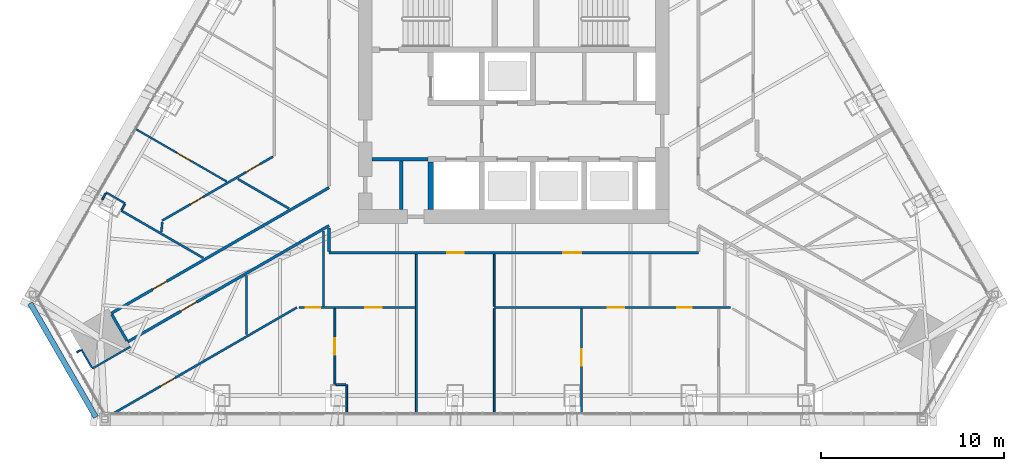
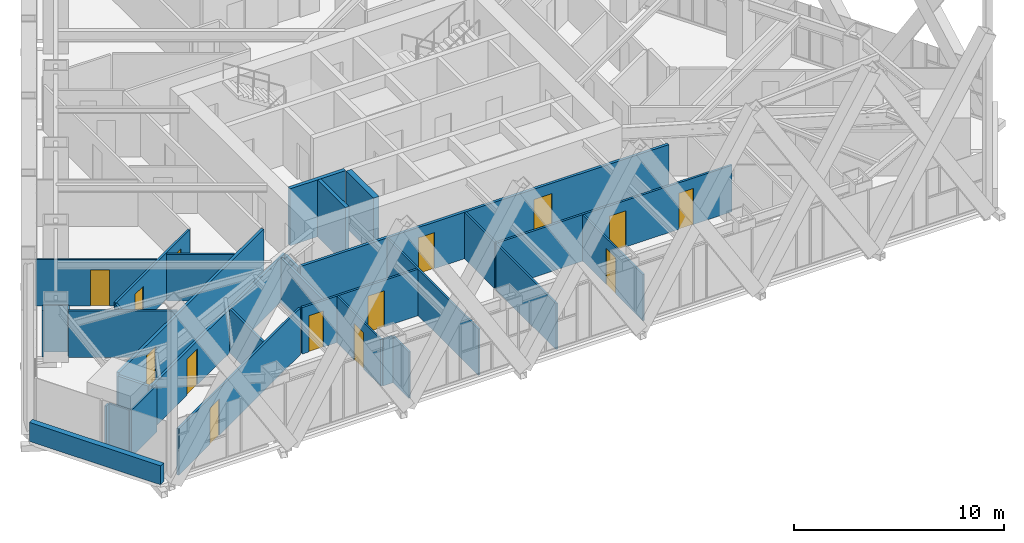
# One storey, part 16 of 21: 32 walls, 14 doors, 14 openings.
"""IFC4 building model written with IfcOpenShell, lengths in metres."""

from ifc_helpers import new_model, si_unit, direction, frame, frame_2d, origin, place, context, subcontext, project, spatial, rectangle, extrude, material, layer, layer_set, type_object, element, fill, save


model = new_model("IFC4")

# Units and contexts
model_context = context("Model", 3, precision=1e-05, world=origin(), true_north=direction((0.0, 1.0)))
body_context = subcontext(model_context, "Body", "Model", "MODEL_VIEW")
ifc_project = project(units=[si_unit("LENGTHUNIT", "METRE"), si_unit("AREAUNIT", "SQUARE_METRE"), si_unit("VOLUMEUNIT", "CUBIC_METRE"), si_unit("PLANEANGLEUNIT", "RADIAN"), si_unit("MASSUNIT", "GRAM", prefix="KILO")], contexts=[model_context])

# Site, building, storey
site_placement = place(None, origin())
site = spatial("IfcSite", under=ifc_project, at=site_placement, CompositionType="ELEMENT")
building_placement = place(site_placement, origin())
building = spatial("IfcBuilding", under=site, at=building_placement, Name="Firuza Gate Tower and Library", CompositionType="ELEMENT")
storey_placement = place(building_placement, frame((0.0, 0.0, 281.10009765625)))
storey = spatial("IfcBuildingStorey", under=building, at=storey_placement, Name="L67", CompositionType="ELEMENT", Elevation=281.10009765625)

# Walls
ifc_material_1 = material(Name="Plasterboard on steel studs", Category="steel")
ifc_layer_1 = layer(ifc_material_1, 0.199951171875)
ifc_layer_set_1 = layer_set([ifc_layer_1], Name="Core partition 200 EI 120")
wall_type_1 = type_object("IfcWallType", Name="Core partition 200 EI 120", PredefinedType="PARTITIONING", material=ifc_layer_set_1)
wall_1_placement = place(storey_placement, frame((67.25, 71.75, 0.0), z_axis=(0.0, 0.0, 1.0), x_axis=(1.0, 0.0, 0.0)))
element("IfcWall", 1, at=wall_1_placement, inside=storey, type_object=wall_type_1, Name="Core partition L67 1", PredefinedType="PARTITIONING", context=body_context, shape_type="SweptSolid", body=[
    extrude(rectangle(XDim=3.050048828125, YDim=0.199951171875, at=frame_2d((1.52490234375, 0.0))), origin(), (0.0, 0.0, 1.0), 3.2998046875),
])
wall_2_placement = place(storey_placement, frame((68.85009765625, 69.0, 0.0), z_axis=(0.0, 0.0, 1.0), x_axis=(0.0, 1.0, 0.0)))
element("IfcWall", 2, at=wall_2_placement, inside=storey, type_object=wall_type_1, Name="Core partition L67 4", PredefinedType="PARTITIONING", context=body_context, shape_type="SweptSolid", body=[
    extrude(rectangle(XDim=2.64990234375, YDim=0.199951171875, at=frame_2d((1.324951171875, 0.0))), origin(), (0.0, 0.0, 1.0), 3.2998046875),
])
ifc_material_2 = material(Name="Concrete C60/75", Category="concrete")
ifc_layer_2 = layer(ifc_material_2, 0.300048828125)
ifc_layer_set_2 = layer_set([ifc_layer_2], Name="Core wall 300 C60/75")
wall_type_2 = type_object("IfcWallType", Name="Core wall 300 C60/75", PredefinedType="SHEAR", material=ifc_layer_set_2)
wall_3_placement = place(storey_placement, frame((70.449951171875, 69.0, 0.0), z_axis=(0.0, 0.0, 1.0), x_axis=(0.0, 1.0, 0.0)))
element("IfcWall", 3, at=wall_3_placement, inside=storey, type_object=wall_type_2, Name="Core wall L67 7", PredefinedType="SHEAR", context=body_context, shape_type="SweptSolid", body=[
    extrude(rectangle(XDim=2.60009765625, YDim=0.300048828125, at=frame_2d((1.300048828125, 0.0))), origin(), (0.0, 0.0, 1.0), 3.2998046875),
])

# Wall, openings, doors
ifc_material_3 = material(Name="Gypsum board partition")
ifc_layer_3 = layer(ifc_material_3, 0.14990234375)
ifc_layer_set_3 = layer_set([ifc_layer_3], Name="Corridor wall 150 double board on steel studs")
wall_type_3 = type_object("IfcWallType", Name="Corridor wall 150 double board on steel studs", PredefinedType="PARTITIONING", material=ifc_layer_set_3)
wall_4_placement = place(storey_placement, frame((85.10009765625, 66.64990234375, 0.0), z_axis=(0.0, 0.0, 1.0), x_axis=(-1.0, 0.0, 0.0)))
wall_4 = element("IfcWall", 4, at=wall_4_placement, inside=storey, type_object=wall_type_3, Name="f:L67:w004", PredefinedType="PARTITIONING", context=body_context, shape_type="SweptSolid", body=[
    extrude(rectangle(XDim=20.2001953125, YDim=0.14990234375, at=frame_2d((10.10009765625, 0.0))), origin(), (0.0, 0.0, 1.0), 2.699951171875),
])
opening_1_placement = place(wall_4_placement, frame((6.4052734375, 0.0, 0.0)))
opening_1 = element("IfcOpeningElement", 5, at=opening_1_placement, cuts=wall_4, Name="Opening L67-05", PredefinedType="OPENING", context=body_context, shape_type="SweptSolid", body=[
    extrude(rectangle(XDim=1.0, YDim=2.10009765625, at=frame_2d((0.5, 1.050048828125))), frame((0.0, 0.0849609375, 0.0), z_axis=(0.0, -1.0, 0.0), x_axis=(1.0, 0.0, 0.0)), (0.0, 0.0, 1.0), 0.169921875),
])
opening_2_placement = place(wall_4_placement, frame((12.8447265625, 0.0, 0.0)))
opening_2 = element("IfcOpeningElement", 6, at=opening_2_placement, cuts=wall_4, Name="Opening L67-06", PredefinedType="OPENING", context=body_context, shape_type="SweptSolid", body=[
    extrude(rectangle(XDim=0.89990234375, YDim=2.10009765625, at=frame_2d((0.449951171875, 1.050048828125))), frame((0.0, 0.0849609375, 0.0), z_axis=(0.0, -1.0, 0.0), x_axis=(1.0, 0.0, 0.0)), (0.0, 0.0, 1.0), 0.169921875),
])
ifc_material_4 = material(Name="Steel door and timber leaf", Category="steel")
door_type_1 = type_object("IfcDoorType", Name="Fire door 1000 x 2100 steel frame, timber leaf", OperationType="NOTDEFINED", PredefinedType="DOOR", material=ifc_material_4)
door_1_placement = place(opening_1_placement, origin())
door_1 = element("IfcDoor", 7, at=door_1_placement, inside=storey, type_object=door_type_1, Name="f:L67:d005", OperationType="SINGLE_SWING_RIGHT", OverallHeight=2.10009765625, OverallWidth=1.0, PredefinedType="DOOR", context=body_context, shape_type="SweptSolid", body=[
    extrude(rectangle(XDim=1.0, YDim=2.10009765625, at=frame_2d((0.5, 1.050048828125))), frame((0.0, 0.02490234375, 0.0), z_axis=(0.0, -1.0, 0.0), x_axis=(1.0, 0.0, 0.0)), (0.0, 0.0, 1.0), 0.050048828125),
])
fill(opening_1, door_1)
ifc_material_5 = material(Name="Steel door and timber leaf", Category="steel")
door_type_2 = type_object("IfcDoorType", Name="Fire door 900 x 2100 steel frame, timber leaf", OperationType="NOTDEFINED", PredefinedType="DOOR", material=ifc_material_5)
door_2_placement = place(opening_2_placement, origin())
door_2 = element("IfcDoor", 8, at=door_2_placement, inside=storey, type_object=door_type_2, Name="f:L67:d006", OperationType="SINGLE_SWING_LEFT", OverallHeight=2.10009765625, OverallWidth=0.89990234375, PredefinedType="DOOR", context=body_context, shape_type="SweptSolid", body=[
    extrude(rectangle(XDim=0.89990234375, YDim=2.10009765625, at=frame_2d((0.449951171875, 1.050048828125))), frame((0.0, 0.02490234375, 0.0), z_axis=(0.0, -1.0, 0.0), x_axis=(1.0, 0.0, 0.0)), (0.0, 0.0, 1.0), 0.050048828125),
])
fill(opening_2, door_2)

# Wall, opening, door
wall_5_placement = place(storey_placement, frame((64.89990234375, 68.129638671875, 0.0), z_axis=(0.0, 0.0, 1.0), x_axis=(-0.866023199005, -0.500003818771, 0.0)))
wall_5 = element("IfcWall", 9, at=wall_5_placement, inside=storey, type_object=wall_type_3, Name="f:L67:w024", PredefinedType="PARTITIONING", context=body_context, shape_type="SweptSolid", body=[
    extrude(rectangle(XDim=12.71875, YDim=0.14990234375, at=frame_2d((6.359375, 0.0))), origin(), (0.0, 0.0, 1.0), 2.546875),
])
opening_3_placement = place(wall_5_placement, frame((8.36376953125, 0.0, 0.0)))
opening_3 = element("IfcOpeningElement", 10, at=opening_3_placement, cuts=wall_5, Name="Opening L67-12", PredefinedType="OPENING", context=body_context, shape_type="SweptSolid", body=[
    extrude(rectangle(XDim=1.0, YDim=2.10009765625, at=frame_2d((0.5, 1.050048828125))), frame((0.0, 0.0849609375, 0.0), z_axis=(0.0, -1.0, 0.0), x_axis=(1.0, 0.0, 0.0)), (0.0, 0.0, 1.0), 0.169921875),
])
door_3_placement = place(opening_3_placement, origin())
door_3 = element("IfcDoor", 11, at=door_3_placement, inside=storey, type_object=door_type_1, Name="f:L67:d012", OperationType="SINGLE_SWING_LEFT", OverallHeight=2.10009765625, OverallWidth=1.0, PredefinedType="DOOR", context=body_context, shape_type="SweptSolid", body=[
    extrude(rectangle(XDim=1.0, YDim=2.10009765625, at=frame_2d((0.5, 1.050048828125))), frame((0.0, 0.02490234375, 0.0), z_axis=(0.0, -1.0, 0.0), x_axis=(1.0, 0.0, 0.0)), (0.0, 0.0, 1.0), 0.050048828125),
])
fill(opening_3, door_3)

wall_6_placement = place(storey_placement, frame((52.98583984375, 63.3291015625, 0.0), z_axis=(0.0, 0.0, 1.0), x_axis=(0.866027482275, 0.499996399932, 0.0)))
wall_6 = element("IfcWall", 12, at=wall_6_placement, inside=storey, type_object=wall_type_3, Name="f:L67:w026", PredefinedType="PARTITIONING", context=body_context, shape_type="SweptSolid", body=[
    extrude(rectangle(XDim=13.75732421875, YDim=0.14990234375, at=frame_2d((6.878662109375, 0.0))), origin(), (0.0, 0.0, 1.0), 2.699951171875),
])
opening_4_placement = place(wall_6_placement, frame((2.61962890625, 0.0, 0.0)))
opening_4 = element("IfcOpeningElement", 13, at=opening_4_placement, cuts=wall_6, Name="Opening L67-13", PredefinedType="OPENING", context=body_context, shape_type="SweptSolid", body=[
    extrude(rectangle(XDim=0.89990234375, YDim=2.10009765625, at=frame_2d((0.449951171875, 1.050048828125))), frame((0.0, 0.0849609375, 0.0), z_axis=(0.0, -1.0, 0.0), x_axis=(1.0, 0.0, 0.0)), (0.0, 0.0, 1.0), 0.169921875),
])
door_4_placement = place(opening_4_placement, origin())
door_4 = element("IfcDoor", 14, at=door_4_placement, inside=storey, type_object=door_type_2, Name="f:L67:d013", OperationType="SINGLE_SWING_LEFT", OverallHeight=2.10009765625, OverallWidth=0.89990234375, PredefinedType="DOOR", context=body_context, shape_type="SweptSolid", body=[
    extrude(rectangle(XDim=0.89990234375, YDim=2.10009765625, at=frame_2d((0.449951171875, 1.050048828125))), frame((0.0, 0.02490234375, 0.0), z_axis=(0.0, -1.0, 0.0), x_axis=(1.0, 0.0, 0.0)), (0.0, 0.0, 1.0), 0.050048828125),
])
fill(opening_4, door_4)

# Walls
wall_7_placement = place(storey_placement, frame((64.89990234375, 66.72509765625, 0.0), z_axis=(0.0, 0.0, 1.0), x_axis=(0.0, 1.0, 0.0)))
element("IfcWall", 15, at=wall_7_placement, inside=storey, type_object=wall_type_3, Name="f:L67:w057", PredefinedType="PARTITIONING", context=body_context, shape_type="SweptSolid", body=[
    extrude(rectangle(XDim=1.267822265625, YDim=0.14990234375, at=frame_2d((0.6337890625, 0.0))), origin(), (0.0, 0.0, 1.0), 2.546875),
])
wall_8_placement = place(storey_placement, frame((53.844970703125, 61.83984375, 0.0), z_axis=(0.0, 0.0, 1.0), x_axis=(-0.499988108725, 0.866032269107, 0.0)))
element("IfcWall", 16, at=wall_8_placement, inside=storey, type_object=wall_type_3, Name="f:L67:w062", PredefinedType="PARTITIONING", context=body_context, shape_type="SweptSolid", body=[
    extrude(rectangle(XDim=1.64404296875, YDim=0.14990234375, at=frame_2d((0.822021484375, 0.0))), origin(), (0.0, 0.0, 1.0), 2.546875),
])
ifc_material_6 = material(Name="Gypsum board partition")
ifc_layer_4 = layer(ifc_material_6, 0.10009765625)
ifc_layer_set_4 = layer_set([ifc_layer_4], Name="Partition 100 gypsum board on steel studs")
wall_type_4 = type_object("IfcWallType", Name="Partition 100 gypsum board on steel studs", PredefinedType="PARTITIONING", material=ifc_layer_set_4)
wall_9_placement = place(storey_placement, frame((65.268310546875, 59.431884765625, 0.0), z_axis=(0.0, 0.0, 1.0), x_axis=(1.0, 0.0, 0.0)))
element("IfcWall", 17, at=wall_9_placement, inside=storey, type_object=wall_type_4, Name="f:L67:w000", PredefinedType="PARTITIONING", context=body_context, shape_type="SweptSolid", body=[
    extrude(rectangle(XDim=0.547607421875, YDim=0.10009765625, at=frame_2d((0.27392578125, 0.0))), origin(), (0.0, 0.0, 1.0), 2.699951171875),
])
wall_10_placement = place(storey_placement, frame((51.957275390625, 60.310791015625, 0.0), z_axis=(0.0, 0.0, 1.0), x_axis=(0.866036455013, 0.499980858223, 0.0)))
element("IfcWall", 18, at=wall_10_placement, inside=storey, type_object=wall_type_4, Name="f:L67:w022", PredefinedType="PARTITIONING", context=body_context, shape_type="SweptSolid", body=[
    extrude(rectangle(XDim=2.39892578125, YDim=0.10009765625, at=frame_2d((1.199462890625, 0.0))), origin(), (0.0, 0.0, 1.0), 2.699951171875),
])
wall_11_placement = place(storey_placement, frame((51.09716796875, 61.19970703125, 0.0), z_axis=(0.0, 0.0, 1.0), x_axis=(0.866006330792, 0.500033033937, 0.0)))
element("IfcWall", 19, at=wall_11_placement, inside=storey, type_object=wall_type_4, Name="f:L67:w025", PredefinedType="PARTITIONING", context=body_context, shape_type="SweptSolid", body=[
    extrude(rectangle(XDim=0.24951171875, YDim=0.10009765625, at=frame_2d((0.124755859375, 0.0))), origin(), (0.0, 0.0, 1.0), 2.699951171875),
])
wall_12_placement = place(storey_placement, frame((53.561279296875, 69.0029296875, 0.0), z_axis=(0.0, 0.0, 1.0), x_axis=(0.500241622161, 0.865885858216, 0.0)))
element("IfcWall", 20, at=wall_12_placement, inside=storey, type_object=wall_type_4, Name="f:L67:w030", PredefinedType="PARTITIONING", context=body_context, shape_type="SweptSolid", body=[
    extrude(rectangle(XDim=0.339111328125, YDim=0.10009765625, at=frame_2d((0.16943359375, 0.0))), origin(), (0.0, 0.0, 1.0), 2.699951171875),
])
wall_13_placement = place(storey_placement, frame((52.491455078125, 69.551025390625, 0.0), z_axis=(0.0, 0.0, 1.0), x_axis=(0.499951716245, 0.866053278629, 0.0)))
element("IfcWall", 21, at=wall_13_placement, inside=storey, type_object=wall_type_4, Name="f:L67:w032", PredefinedType="PARTITIONING", context=body_context, shape_type="SweptSolid", body=[
    extrude(rectangle(XDim=0.3994140625, YDim=0.10009765625, at=frame_2d((0.19970703125, 0.0))), origin(), (0.0, 0.0, 1.0), 2.699951171875),
])

# Wall, opening, door
wall_14_placement = place(storey_placement, frame((78.7060546875, 57.8720703125, 0.0), z_axis=(0.0, 0.0, 1.0), x_axis=(0.0, 1.0, 0.0)))
wall_14 = element("IfcWall", 22, at=wall_14_placement, inside=storey, type_object=wall_type_4, Name="f:L67:w045", PredefinedType="PARTITIONING", context=body_context, shape_type="SweptSolid", body=[
    extrude(rectangle(XDim=5.718017578125, YDim=0.10009765625, at=frame_2d((2.85888671875, 0.0))), origin(), (0.0, 0.0, 1.0), 2.68798828125),
])
opening_5_placement = place(wall_14_placement, frame((2.589111328125, 0.0, 0.0)))
opening_5 = element("IfcOpeningElement", 23, at=opening_5_placement, cuts=wall_14, Name="Opening L67-20", PredefinedType="OPENING", context=body_context, shape_type="SweptSolid", body=[
    extrude(rectangle(XDim=0.89990234375, YDim=2.10009765625, at=frame_2d((0.449951171875, 1.050048828125))), frame((0.0, 0.06005859375, 0.0), z_axis=(0.0, -1.0, 0.0), x_axis=(1.0, 0.0, 0.0)), (0.0, 0.0, 1.0), 0.1201171875),
])
ifc_material_7 = material(Name="Timber door", Category="wood")
door_type_3 = type_object("IfcDoorType", Name="Door 900 x 2100 timber leaf", OperationType="NOTDEFINED", PredefinedType="DOOR", material=ifc_material_7)
door_5_placement = place(opening_5_placement, origin())
door_5 = element("IfcDoor", 24, at=door_5_placement, inside=storey, type_object=door_type_3, Name="f:L67:d020", OperationType="SINGLE_SWING_LEFT", OverallHeight=2.10009765625, OverallWidth=0.89990234375, PredefinedType="DOOR", context=body_context, shape_type="SweptSolid", body=[
    extrude(rectangle(XDim=0.89990234375, YDim=2.10009765625, at=frame_2d((0.449951171875, 1.050048828125))), frame((0.0, 0.02490234375, 0.0), z_axis=(0.0, -1.0, 0.0), x_axis=(1.0, 0.0, 0.0)), (0.0, 0.0, 1.0), 0.050048828125),
])
fill(opening_5, door_5)

# Walls
wall_15_placement = place(storey_placement, frame((73.93505859375, 57.8720703125, 0.0), z_axis=(0.0, 0.0, 1.0), x_axis=(0.0, 1.0, 0.0)))
element("IfcWall", 25, at=wall_15_placement, inside=storey, type_object=wall_type_4, Name="f:L67:w051", PredefinedType="PARTITIONING", context=body_context, shape_type="SweptSolid", body=[
    extrude(rectangle(XDim=5.718017578125, YDim=0.10009765625, at=frame_2d((2.85888671875, 0.0))), origin(), (0.0, 0.0, 1.0), 2.68798828125),
])
wall_16_placement = place(storey_placement, frame((69.676025390625, 57.8720703125, 0.0), z_axis=(0.0, 0.0, 1.0), x_axis=(0.0, 1.0, 0.0)))
element("IfcWall", 26, at=wall_16_placement, inside=storey, type_object=wall_type_4, Name="f:L67:w054", PredefinedType="PARTITIONING", context=body_context, shape_type="SweptSolid", body=[
    extrude(rectangle(XDim=8.702880859375, YDim=0.10009765625, at=frame_2d((4.3515625, 0.0))), origin(), (0.0, 0.0, 1.0), 2.68798828125),
])
wall_17_placement = place(storey_placement, frame((65.865966796875, 57.8720703125, 0.0), z_axis=(0.0, 0.0, 1.0), x_axis=(0.0, 1.0, 0.0)))
element("IfcWall", 27, at=wall_17_placement, inside=storey, type_object=wall_type_4, Name="f:L67:w055", PredefinedType="PARTITIONING", context=body_context, shape_type="SweptSolid", body=[
    extrude(rectangle(XDim=1.559814453125, YDim=0.10009765625, at=frame_2d((0.77978515625, 0.0))), origin(), (0.0, 0.0, 1.0), 2.68798828125),
])

# Wall, opening, door
wall_18_placement = place(storey_placement, frame((65.218017578125, 63.590087890625, 0.0), z_axis=(0.0, 0.0, 1.0), x_axis=(0.0, -1.0, 0.0)))
wall_18 = element("IfcWall", 28, at=wall_18_placement, inside=storey, type_object=wall_type_4, Name="f:L67:w056", PredefinedType="PARTITIONING", context=body_context, shape_type="SweptSolid", body=[
    extrude(rectangle(XDim=4.158203125, YDim=0.10009765625, at=frame_2d((2.0791015625, 0.0))), origin(), (0.0, 0.0, 1.0), 2.699951171875),
])
opening_6_placement = place(wall_18_placement, frame((1.62890625, 0.0, 0.0)))
opening_6 = element("IfcOpeningElement", 29, at=opening_6_placement, cuts=wall_18, Name="Opening L67-21", PredefinedType="OPENING", context=body_context, shape_type="SweptSolid", body=[
    extrude(rectangle(XDim=0.89990234375, YDim=2.10009765625, at=frame_2d((0.449951171875, 1.050048828125))), frame((0.0, 0.06005859375, 0.0), z_axis=(0.0, -1.0, 0.0), x_axis=(1.0, 0.0, 0.0)), (0.0, 0.0, 1.0), 0.1201171875),
])
door_6_placement = place(opening_6_placement, origin())
door_6 = element("IfcDoor", 30, at=door_6_placement, inside=storey, type_object=door_type_3, Name="f:L67:d021", OperationType="SINGLE_SWING_RIGHT", OverallHeight=2.10009765625, OverallWidth=0.89990234375, PredefinedType="DOOR", context=body_context, shape_type="SweptSolid", body=[
    extrude(rectangle(XDim=0.89990234375, YDim=2.10009765625, at=frame_2d((0.449951171875, 1.050048828125))), frame((0.0, 0.02490234375, 0.0), z_axis=(0.0, -1.0, 0.0), x_axis=(1.0, 0.0, 0.0)), (0.0, 0.0, 1.0), 0.050048828125),
])
fill(opening_6, door_6)

# Wall
wall_19_placement = place(storey_placement, frame((51.931396484375, 60.35400390625, 0.0), z_axis=(0.0, 0.0, 1.0), x_axis=(-0.499955427682, 0.866051136095, 0.0)))
element("IfcWall", 31, at=wall_19_placement, inside=storey, type_object=wall_type_4, Name="f:L67:w063", PredefinedType="PARTITIONING", context=body_context, shape_type="SweptSolid", body=[
    extrude(rectangle(XDim=1.14892578125, YDim=0.10009765625, at=frame_2d((0.574462890625, 0.0))), origin(), (0.0, 0.0, 1.0), 2.699951171875),
])

# Wall, opening, door
wall_20_placement = place(storey_placement, frame((59.30126953125, 70.538818359375, 0.0), z_axis=(0.0, 0.0, 1.0), x_axis=(-0.866021213215, 0.500007258209, 0.0)))
wall_20 = element("IfcWall", 32, at=wall_20_placement, inside=storey, type_object=wall_type_4, Name="f:L67:w078", PredefinedType="PARTITIONING", context=body_context, shape_type="SweptSolid", body=[
    extrude(rectangle(XDim=5.76318359375, YDim=0.10009765625, at=frame_2d((2.881591796875, 0.0))), origin(), (0.0, 0.0, 1.0), 2.699951171875),
])
opening_7_placement = place(wall_20_placement, frame((2.251708984375, 0.0, 0.0)))
opening_7 = element("IfcOpeningElement", 33, at=opening_7_placement, cuts=wall_20, Name="Opening L67-33", PredefinedType="OPENING", context=body_context, shape_type="SweptSolid", body=[
    extrude(rectangle(XDim=0.89990234375, YDim=2.10009765625, at=frame_2d((0.449951171875, 1.050048828125))), frame((0.0, 0.06005859375, 0.0), z_axis=(0.0, -1.0, 0.0), x_axis=(1.0, 0.0, 0.0)), (0.0, 0.0, 1.0), 0.1201171875),
])
door_7_placement = place(opening_7_placement, origin())
door_7 = element("IfcDoor", 34, at=door_7_placement, inside=storey, type_object=door_type_3, Name="f:L67:d033", OperationType="SINGLE_SWING_LEFT", OverallHeight=2.10009765625, OverallWidth=0.89990234375, PredefinedType="DOOR", context=body_context, shape_type="SweptSolid", body=[
    extrude(rectangle(XDim=0.89990234375, YDim=2.10009765625, at=frame_2d((0.449951171875, 1.050048828125))), frame((0.0, 0.02490234375, 0.0), z_axis=(0.0, -1.0, 0.0), x_axis=(1.0, 0.0, 0.0)), (0.0, 0.0, 1.0), 0.050048828125),
])
fill(opening_7, door_7)

# Walls
wall_21_placement = place(storey_placement, frame((53.755859375, 69.341064453125, 0.0), z_axis=(0.0, 0.0, 1.0), x_axis=(-0.866066905393, 0.499928110214, 0.0)))
element("IfcWall", 35, at=wall_21_placement, inside=storey, type_object=wall_type_4, Name="f:L67:w079", PredefinedType="PARTITIONING", context=body_context, shape_type="SweptSolid", body=[
    extrude(rectangle(XDim=1.198974609375, YDim=0.10009765625, at=frame_2d((0.599609375, 0.0))), origin(), (0.0, 0.0, 1.0), 2.699951171875),
])
wall_22_placement = place(storey_placement, frame((73.93505859375, 63.7099609375, 0.0), z_axis=(0.0, 0.0, 1.0), x_axis=(0.0, 1.0, 0.0)))
element("IfcWall", 36, at=wall_22_placement, inside=storey, type_object=wall_type_4, Name="f:L67:w081", PredefinedType="PARTITIONING", context=body_context, shape_type="SweptSolid", body=[
    extrude(rectangle(XDim=2.864990234375, YDim=0.10009765625, at=frame_2d((1.4326171875, 0.0))), origin(), (0.0, 0.0, 1.0), 2.699951171875),
])
ifc_material_8 = material(Name="Concrete C40/50", Category="concrete")
ifc_layer_5 = layer(ifc_material_8, 0.300048828125)
ifc_layer_set_5 = layer_set([ifc_layer_5], Name="Terrace parapet 300")
wall_type_5 = type_object("IfcWallType", Name="Terrace parapet 300", PredefinedType="PARAPET", material=ifc_layer_set_5)
wall_23_placement = place(storey_placement, frame((48.55126953125, 63.88671875, 0.0), z_axis=(0.0, 0.0, 1.0), x_axis=(0.499986626058, -0.866033125095, 0.0)))
element("IfcWall", 37, at=wall_23_placement, inside=storey, type_object=wall_type_5, Name="Parapet L67 1", PredefinedType="PARAPET", context=body_context, shape_type="SweptSolid", body=[
    extrude(rectangle(XDim=7.199951171875, YDim=0.300048828125, at=frame_2d((3.60009765625, 0.0))), origin(), (0.0, 0.0, 1.0), 1.099853515625),
])

# Wall, openings, doors
ifc_material_9 = material(Name="Gypsum board partition")
ifc_layer_6 = layer(ifc_material_9, 0.1201171875)
ifc_layer_set_6 = layer_set([ifc_layer_6], Name="Wet-area partition 120 moisture-resistant board")
wall_type_6 = type_object("IfcWallType", Name="Wet-area partition 120 moisture-resistant board", PredefinedType="PARTITIONING", material=ifc_layer_set_6)
wall_24_placement = place(storey_placement, frame((63.26123046875, 63.64990234375, 0.0), z_axis=(0.0, 0.0, 1.0), x_axis=(1.0, 0.0, 0.0)))
wall_24 = element("IfcWall", 38, at=wall_24_placement, inside=storey, type_object=wall_type_6, Name="f:L67:w002", PredefinedType="PARTITIONING", context=body_context, shape_type="SweptSolid", body=[
    extrude(rectangle(XDim=6.3642578125, YDim=0.1201171875, at=frame_2d((3.18212890625, 0.0))), origin(), (0.0, 0.0, 1.0), 2.699951171875),
])
opening_8_placement = place(wall_24_placement, frame((0.369873046875, 0.0, 0.0)))
opening_8 = element("IfcOpeningElement", 39, at=opening_8_placement, cuts=wall_24, Name="Opening L67-01", PredefinedType="OPENING", context=body_context, shape_type="SweptSolid", body=[
    extrude(rectangle(XDim=0.800048828125, YDim=2.10009765625, at=frame_2d((0.39990234375, 1.050048828125))), frame((0.0, 0.070068359375, 0.0), z_axis=(0.0, -1.0, 0.0), x_axis=(1.0, 0.0, 0.0)), (0.0, 0.0, 1.0), 0.14013671875),
])
opening_9_placement = place(wall_24_placement, frame((3.609130859375, 0.0, 0.0)))
opening_9 = element("IfcOpeningElement", 40, at=opening_9_placement, cuts=wall_24, Name="Opening L67-02", PredefinedType="OPENING", context=body_context, shape_type="SweptSolid", body=[
    extrude(rectangle(XDim=0.89990234375, YDim=2.10009765625, at=frame_2d((0.449951171875, 1.050048828125))), frame((0.0, 0.070068359375, 0.0), z_axis=(0.0, -1.0, 0.0), x_axis=(1.0, 0.0, 0.0)), (0.0, 0.0, 1.0), 0.14013671875),
])
ifc_material_10 = material(Name="Timber door", Category="wood")
door_type_4 = type_object("IfcDoorType", Name="Door 800 x 2100 timber leaf", OperationType="NOTDEFINED", PredefinedType="DOOR", material=ifc_material_10)
door_8_placement = place(opening_8_placement, origin())
door_8 = element("IfcDoor", 41, at=door_8_placement, inside=storey, type_object=door_type_4, Name="f:L67:d001", OperationType="SINGLE_SWING_RIGHT", OverallHeight=2.10009765625, OverallWidth=0.800048828125, PredefinedType="DOOR", context=body_context, shape_type="SweptSolid", body=[
    extrude(rectangle(XDim=0.800048828125, YDim=2.10009765625, at=frame_2d((0.39990234375, 1.050048828125))), frame((0.0, 0.02490234375, 0.0), z_axis=(0.0, -1.0, 0.0), x_axis=(1.0, 0.0, 0.0)), (0.0, 0.0, 1.0), 0.050048828125),
])
fill(opening_8, door_8)
door_9_placement = place(opening_9_placement, origin())
door_9 = element("IfcDoor", 42, at=door_9_placement, inside=storey, type_object=door_type_3, Name="f:L67:d002", OperationType="SINGLE_SWING_LEFT", OverallHeight=2.10009765625, OverallWidth=0.89990234375, PredefinedType="DOOR", context=body_context, shape_type="SweptSolid", body=[
    extrude(rectangle(XDim=0.89990234375, YDim=2.10009765625, at=frame_2d((0.449951171875, 1.050048828125))), frame((0.0, 0.02490234375, 0.0), z_axis=(0.0, -1.0, 0.0), x_axis=(1.0, 0.0, 0.0)), (0.0, 0.0, 1.0), 0.050048828125),
])
fill(opening_9, door_9)

wall_25_placement = place(storey_placement, frame((73.93505859375, 63.64990234375, 0.0), z_axis=(0.0, 0.0, 1.0), x_axis=(1.0, 0.0, 0.0)))
wall_25 = element("IfcWall", 43, at=wall_25_placement, inside=storey, type_object=wall_type_6, Name="f:L67:w003", PredefinedType="PARTITIONING", context=body_context, shape_type="SweptSolid", body=[
    extrude(rectangle(XDim=12.923828125, YDim=0.1201171875, at=frame_2d((6.4619140625, 0.0))), origin(), (0.0, 0.0, 1.0), 2.699951171875),
])
opening_10_placement = place(wall_25_placement, frame((6.196533203125, 0.0, 0.0)))
opening_10 = element("IfcOpeningElement", 44, at=opening_10_placement, cuts=wall_25, Name="Opening L67-03", PredefinedType="OPENING", context=body_context, shape_type="SweptSolid", body=[
    extrude(rectangle(XDim=0.89990234375, YDim=2.10009765625, at=frame_2d((0.449951171875, 1.050048828125))), frame((0.0, 0.070068359375, 0.0), z_axis=(0.0, -1.0, 0.0), x_axis=(1.0, 0.0, 0.0)), (0.0, 0.0, 1.0), 0.14013671875),
])
opening_11_placement = place(wall_25_placement, frame((9.994873046875, 0.0, 0.0)))
opening_11 = element("IfcOpeningElement", 45, at=opening_11_placement, cuts=wall_25, Name="Opening L67-04", PredefinedType="OPENING", context=body_context, shape_type="SweptSolid", body=[
    extrude(rectangle(XDim=0.800048828125, YDim=2.10009765625, at=frame_2d((0.39990234375, 1.050048828125))), frame((0.0, 0.070068359375, 0.0), z_axis=(0.0, -1.0, 0.0), x_axis=(1.0, 0.0, 0.0)), (0.0, 0.0, 1.0), 0.14013671875),
])
door_10_placement = place(opening_11_placement, origin())
door_10 = element("IfcDoor", 46, at=door_10_placement, inside=storey, type_object=door_type_4, Name="f:L67:d004", OperationType="SINGLE_SWING_LEFT", OverallHeight=2.10009765625, OverallWidth=0.800048828125, PredefinedType="DOOR", context=body_context, shape_type="SweptSolid", body=[
    extrude(rectangle(XDim=0.800048828125, YDim=2.10009765625, at=frame_2d((0.39990234375, 1.050048828125))), frame((0.0, 0.02490234375, 0.0), z_axis=(0.0, -1.0, 0.0), x_axis=(1.0, 0.0, 0.0)), (0.0, 0.0, 1.0), 0.050048828125),
])
fill(opening_11, door_10)
door_11_placement = place(opening_10_placement, origin())
door_11 = element("IfcDoor", 47, at=door_11_placement, inside=storey, type_object=door_type_3, Name="f:L67:d003", OperationType="SINGLE_SWING_RIGHT", OverallHeight=2.10009765625, OverallWidth=0.89990234375, PredefinedType="DOOR", context=body_context, shape_type="SweptSolid", body=[
    extrude(rectangle(XDim=0.89990234375, YDim=2.10009765625, at=frame_2d((0.449951171875, 1.050048828125))), frame((0.0, 0.02490234375, 0.0), z_axis=(0.0, -1.0, 0.0), x_axis=(1.0, 0.0, 0.0)), (0.0, 0.0, 1.0), 0.050048828125),
])
fill(opening_10, door_11)

# Wall, opening, door
wall_26_placement = place(storey_placement, frame((63.14111328125, 63.650146484375, 0.0), z_axis=(0.0, 0.0, 1.0), x_axis=(-0.866023045711, -0.500004084281, 0.0)))
wall_26 = element("IfcWall", 48, at=wall_26_placement, inside=storey, type_object=wall_type_6, Name="f:L67:w021", PredefinedType="PARTITIONING", context=body_context, shape_type="SweptSolid", body=[
    extrude(rectangle(XDim=11.55615234375, YDim=0.1201171875, at=frame_2d((5.778076171875, 0.0))), origin(), (0.0, 0.0, 1.0), 2.699951171875),
])
opening_12_placement = place(wall_26_placement, frame((7.712646484375, 0.0, 0.0)))
opening_12 = element("IfcOpeningElement", 49, at=opening_12_placement, cuts=wall_26, Name="Opening L67-10", PredefinedType="OPENING", context=body_context, shape_type="SweptSolid", body=[
    extrude(rectangle(XDim=0.89990234375, YDim=2.10009765625, at=frame_2d((0.449951171875, 1.050048828125))), frame((0.0, 0.070068359375, 0.0), z_axis=(0.0, -1.0, 0.0), x_axis=(1.0, 0.0, 0.0)), (0.0, 0.0, 1.0), 0.14013671875),
])
door_12_placement = place(opening_12_placement, origin())
door_12 = element("IfcDoor", 50, at=door_12_placement, inside=storey, type_object=door_type_3, Name="f:L67:d010", OperationType="SINGLE_SWING_RIGHT", OverallHeight=2.10009765625, OverallWidth=0.89990234375, PredefinedType="DOOR", context=body_context, shape_type="SweptSolid", body=[
    extrude(rectangle(XDim=0.89990234375, YDim=2.10009765625, at=frame_2d((0.449951171875, 1.050048828125))), frame((0.0, 0.02490234375, 0.0), z_axis=(0.0, -1.0, 0.0), x_axis=(1.0, 0.0, 0.0)), (0.0, 0.0, 1.0), 0.050048828125),
])
fill(opening_12, door_12)

# Wall, openings, doors
wall_27_placement = place(storey_placement, frame((61.83984375, 71.905517578125, 0.0), z_axis=(0.0, 0.0, 1.0), x_axis=(-0.866015603583, -0.500016974063, 0.0)))
wall_27 = element("IfcWall", 51, at=wall_27_placement, inside=storey, type_object=wall_type_6, Name="f:L67:w028", PredefinedType="PARTITIONING", context=body_context, shape_type="SweptSolid", body=[
    extrude(rectangle(XDim=7.008056640625, YDim=0.1201171875, at=frame_2d((3.50390625, 0.0))), origin(), (0.0, 0.0, 1.0), 2.699951171875),
])
opening_13_placement = place(wall_27_placement, frame((0.822265625, 0.0, 0.0)))
opening_13 = element("IfcOpeningElement", 52, at=opening_13_placement, cuts=wall_27, Name="Opening L67-14", PredefinedType="OPENING", context=body_context, shape_type="SweptSolid", body=[
    extrude(rectangle(XDim=0.89990234375, YDim=2.10009765625, at=frame_2d((0.449951171875, 1.050048828125))), frame((0.0, 0.070068359375, 0.0), z_axis=(0.0, -1.0, 0.0), x_axis=(1.0, 0.0, 0.0)), (0.0, 0.0, 1.0), 0.14013671875),
])
opening_14_placement = place(wall_27_placement, frame((4.41845703125, 0.0, 0.0)))
opening_14 = element("IfcOpeningElement", 53, at=opening_14_placement, cuts=wall_27, Name="Opening L67-15", PredefinedType="OPENING", context=body_context, shape_type="SweptSolid", body=[
    extrude(rectangle(XDim=0.800048828125, YDim=2.10009765625, at=frame_2d((0.39990234375, 1.050048828125))), frame((0.0, 0.070068359375, 0.0), z_axis=(0.0, -1.0, 0.0), x_axis=(1.0, 0.0, 0.0)), (0.0, 0.0, 1.0), 0.14013671875),
])
door_13_placement = place(opening_14_placement, origin())
door_13 = element("IfcDoor", 54, at=door_13_placement, inside=storey, type_object=door_type_4, Name="f:L67:d015", OperationType="SINGLE_SWING_LEFT", OverallHeight=2.10009765625, OverallWidth=0.800048828125, PredefinedType="DOOR", context=body_context, shape_type="SweptSolid", body=[
    extrude(rectangle(XDim=0.800048828125, YDim=2.10009765625, at=frame_2d((0.39990234375, 1.050048828125))), frame((0.0, 0.02490234375, 0.0), z_axis=(0.0, -1.0, 0.0), x_axis=(1.0, 0.0, 0.0)), (0.0, 0.0, 1.0), 0.050048828125),
])
fill(opening_14, door_13)
door_14_placement = place(opening_13_placement, origin())
door_14 = element("IfcDoor", 55, at=door_14_placement, inside=storey, type_object=door_type_3, Name="f:L67:d014", OperationType="SINGLE_SWING_LEFT", OverallHeight=2.10009765625, OverallWidth=0.89990234375, PredefinedType="DOOR", context=body_context, shape_type="SweptSolid", body=[
    extrude(rectangle(XDim=0.89990234375, YDim=2.10009765625, at=frame_2d((0.449951171875, 1.050048828125))), frame((0.0, 0.02490234375, 0.0), z_axis=(0.0, -1.0, 0.0), x_axis=(1.0, 0.0, 0.0)), (0.0, 0.0, 1.0), 0.050048828125),
])
fill(opening_13, door_14)

# Walls
wall_28_placement = place(storey_placement, frame((55.729248046875, 67.781494140625, 0.0), z_axis=(0.0, 0.0, 1.0), x_axis=(0.099548724898, 0.995032688594, 0.0)))
element("IfcWall", 56, at=wall_28_placement, inside=storey, type_object=wall_type_6, Name="f:L67:w034", PredefinedType="PARTITIONING", context=body_context, shape_type="SweptSolid", body=[
    extrude(rectangle(XDim=0.537109375, YDim=0.1201171875, at=frame_2d((0.2685546875, 0.0))), origin(), (0.0, 0.0, 1.0), 2.699951171875),
])
wall_29_placement = place(storey_placement, frame((64.60107421875, 63.7099609375, 0.0), z_axis=(0.0, 0.0, 1.0), x_axis=(0.0, 1.0, 0.0)))
element("IfcWall", 57, at=wall_29_placement, inside=storey, type_object=wall_type_6, Name="f:L67:w059", PredefinedType="PARTITIONING", context=body_context, shape_type="SweptSolid", body=[
    extrude(rectangle(XDim=4.120361328125, YDim=0.1201171875, at=frame_2d((2.06005859375, 0.0))), origin(), (0.0, 0.0, 1.0), 2.546875),
])
wall_30_placement = place(storey_placement, frame((60.385986328125, 62.168701171875, 0.0), z_axis=(0.0, 0.0, 1.0), x_axis=(0.0, 1.0, 0.0)))
element("IfcWall", 58, at=wall_30_placement, inside=storey, type_object=wall_type_6, Name="f:L67:w061", PredefinedType="PARTITIONING", context=body_context, shape_type="SweptSolid", body=[
    extrude(rectangle(XDim=3.228271484375, YDim=0.1201171875, at=frame_2d((1.6142578125, 0.0))), origin(), (0.0, 0.0, 1.0), 2.546875),
])
wall_31_placement = place(storey_placement, frame((62.702392578125, 69.06591796875, 0.0), z_axis=(0.0, 0.0, 1.0), x_axis=(-0.866033195618, 0.499986503906, 0.0)))
element("IfcWall", 59, at=wall_31_placement, inside=storey, type_object=wall_type_6, Name="f:L67:w077", PredefinedType="PARTITIONING", context=body_context, shape_type="SweptSolid", body=[
    extrude(rectangle(XDim=3.22802734375, YDim=0.1201171875, at=frame_2d((1.614013671875, 0.0))), origin(), (0.0, 0.0, 1.0), 2.699951171875),
])
wall_32_placement = place(storey_placement, frame((58.017333984375, 66.361083984375, 0.0), z_axis=(0.0, 0.0, 1.0), x_axis=(-0.866018392704, 0.500012143352, 0.0)))
element("IfcWall", 60, at=wall_32_placement, inside=storey, type_object=wall_type_6, Name="f:L67:w080", PredefinedType="PARTITIONING", context=body_context, shape_type="SweptSolid", body=[
    extrude(rectangle(XDim=5.179443359375, YDim=0.1201171875, at=frame_2d((2.58984375, 0.0))), origin(), (0.0, 0.0, 1.0), 2.699951171875),
])

save(model, "model.ifc")
